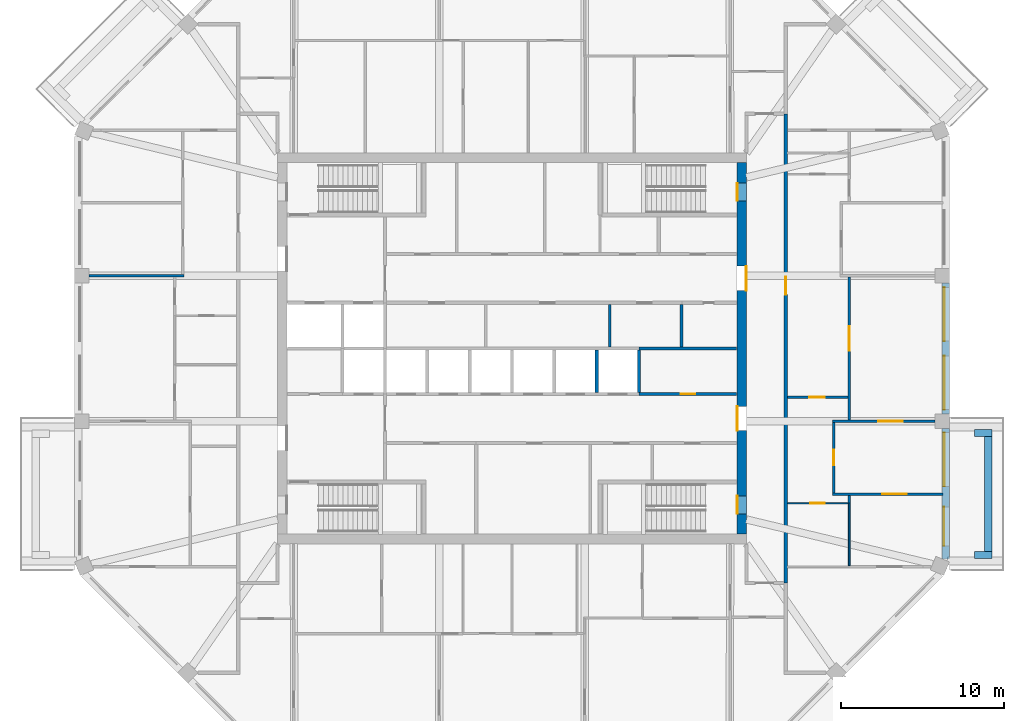
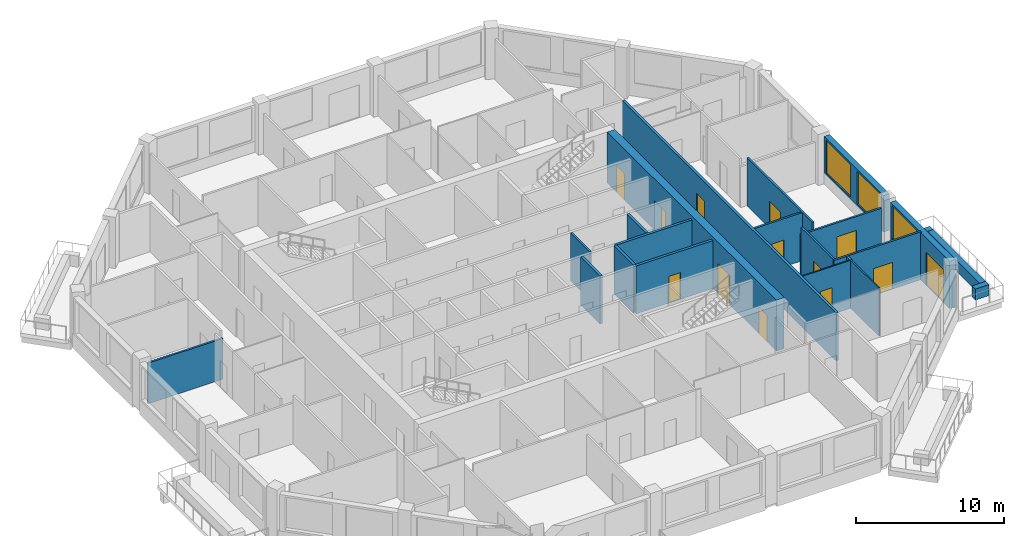
# One storey, part 6 of 11: 22 walls, 13 doors, 3 windows, 16 openings.
"""IFC4 building model written with IfcOpenShell, lengths in metres."""

from ifc_helpers import new_model, si_unit, direction, frame, frame_2d, origin, place, context, subcontext, project, spatial, rectangle, extrude, material, layer, layer_set, type_object, element, fill, save


model = new_model("IFC4")

# Units and contexts
model_context = context("Model", 3, precision=1e-05, world=origin(), true_north=direction((0.0, 1.0)))
body_context = subcontext(model_context, "Body", "Model", "MODEL_VIEW")
ifc_project = project(units=[si_unit("LENGTHUNIT", "METRE"), si_unit("AREAUNIT", "SQUARE_METRE"), si_unit("VOLUMEUNIT", "CUBIC_METRE"), si_unit("PLANEANGLEUNIT", "RADIAN"), si_unit("MASSUNIT", "GRAM", prefix="KILO")], contexts=[model_context])

# Site, building, storey
site_placement = place(None, origin())
site = spatial("IfcSite", under=ifc_project, at=site_placement, CompositionType="ELEMENT")
building_placement = place(site_placement, origin())
building = spatial("IfcBuilding", under=site, at=building_placement, Name="Msitu Wima Residences", CompositionType="ELEMENT")
storey_placement = place(building_placement, frame((0.0, 0.0, 302.10009765625)))
storey = spatial("IfcBuildingStorey", under=building, at=storey_placement, Name="L70", CompositionType="ELEMENT", Elevation=302.10009765625)

# Walls
ifc_material_1 = material(Name="Facing brick")
ifc_layer_1 = layer(ifc_material_1, 0.06494140625, Name="Facing brick")
ifc_material_2 = material(Name="Concrete C40/50", Category="concrete")
ifc_layer_2 = layer(ifc_material_2, 0.156005859375, Name="Concrete C40/50")
ifc_material_3 = material(Name="Waterproofing membrane")
ifc_layer_3 = layer(ifc_material_3, 0.00390625, Name="Waterproofing membrane")
ifc_material_4 = material(Name="Planting soil and planting")
ifc_layer_4 = layer(ifc_material_4, 0.22509765625, Name="Planting soil and planting")
ifc_layer_set_1 = layer_set([ifc_layer_1, ifc_layer_2, ifc_layer_3, ifc_layer_4], Name="Concrete C40/50")
wall_type_1 = type_object("IfcWallType", Name="Balcony planter PLANTER PL450", PredefinedType="USERDEFINED", material=ifc_layer_set_1)
wall_1_placement = place(storey_placement, frame((29.22509765625, -12.455810546875, 0.0), z_axis=(0.0, 0.0, 1.0), x_axis=(0.0, 1.0, 0.0)))
element("IfcWall", 1, at=wall_1_placement, inside=storey, type_object=wall_type_1, Name="Balcony planter E0 L70", ObjectType="PLANTER", PredefinedType="USERDEFINED", context=body_context, shape_type="SweptSolid", body=[
    extrude(rectangle(XDim=7.037109375, YDim=0.449951171875, at=frame_2d((3.5185546875, 0.0))), origin(), (0.0, 0.0, 1.0), 0.89990234375),
])
for number, where, z_axis, x_axis, name in (
    (2, (28.39990234375, -12.680908203125, 0.0), (0.0, 0.0, 1.0), (1.0, 0.0, 0.0), "Balcony planter E0 L70"),
    (3, (28.39990234375, -5.193603515625, 0.0), (0.0, 0.0, 1.0), (1.0, 0.0, 0.0), "Balcony planter E0 L70"),
):
    element("IfcWall", number, at=place(storey_placement, frame(where, z_axis=z_axis, x_axis=x_axis)), inside=storey, type_object=wall_type_1, Name=name, ObjectType="PLANTER", PredefinedType="USERDEFINED", context=body_context, shape_type="SweptSolid", body=[
        extrude(rectangle(XDim=1.050048828125, YDim=0.449951171875, at=frame_2d((0.52490234375, 0.0))), origin(), (0.0, 0.0, 1.0), 0.89990234375),
    ])

# Wall, openings, door, window
ifc_material_5 = material(Name="Brick (red buff mix)", Category="masonry")
ifc_layer_5 = layer(ifc_material_5, 0.449951171875)
ifc_layer_set_2 = layer_set([ifc_layer_5], Name="Brick (red buff mix)")
wall_type_2 = type_object("IfcWallType", Name="Brick infill wall BW450", PredefinedType="SOLIDWALL", material=ifc_layer_set_2)
wall_2_placement = place(storey_placement, frame((26.625, -12.918701171875, 0.0), z_axis=(0.0, 0.0, 1.0), x_axis=(0.0, 1.0, 0.0)))
wall_2 = element("IfcWall", 4, at=wall_2_placement, inside=storey, type_object=wall_type_2, Name="Brick infill wall L70 E0", PredefinedType="SOLIDWALL", context=body_context, shape_type="SweptSolid", body=[
    extrude(rectangle(XDim=8.0, YDim=0.449951171875, at=frame_2d((4.0, 0.0))), origin(), (0.0, 0.0, 1.0), 3.89990234375),
])
opening_1_placement = place(wall_2_placement, frame((0.800048828125, 0.0, 0.0)))
opening_1 = element("IfcOpeningElement", 5, at=opening_1_placement, cuts=wall_2, Name="Opening D68-70.001", PredefinedType="OPENING", context=body_context, shape_type="SweptSolid", body=[
    extrude(rectangle(XDim=2.39990234375, YDim=2.699951171875, at=frame_2d((1.199951171875, 1.35009765625))), frame((0.0, 0.23486328125, 0.0), z_axis=(0.0, -1.0, 0.0), x_axis=(1.0, 0.0, 0.0)), (0.0, 0.0, 1.0), 0.469970703125),
])
opening_2_placement = place(wall_2_placement, frame((4.4501953125, 0.0, 1.050048828125)))
opening_2 = element("IfcOpeningElement", 6, at=opening_2_placement, cuts=wall_2, Name="Opening W68-70.001", PredefinedType="OPENING", context=body_context, shape_type="SweptSolid", body=[
    extrude(rectangle(XDim=3.300048828125, YDim=2.699951171875, at=frame_2d((1.64990234375, 1.35009765625))), frame((0.0, 0.23486328125, 0.0), z_axis=(0.0, -1.0, 0.0), x_axis=(1.0, 0.0, 0.0)), (0.0, 0.0, 1.0), 0.469970703125),
])
ifc_material_6 = material(Name="Anodised aluminium, bronze finish, clear low-emissivity double glazing", Category="aluminium")
door_type_1 = type_object("IfcDoorType", Name="Balcony door D2400x2700", OperationType="SLIDING_TO_LEFT", PredefinedType="DOOR", material=ifc_material_6)
door_1_placement = place(opening_1_placement, origin())
door_1 = element("IfcDoor", 7, at=door_1_placement, inside=storey, type_object=door_type_1, Name="Balcony door L70 E0", OperationType="SINGLE_SWING_LEFT", OverallHeight=2.699951171875, OverallWidth=2.39990234375, PredefinedType="DOOR", context=body_context, shape_type="SweptSolid", body=[
    extrude(rectangle(XDim=2.39990234375, YDim=2.699951171875, at=frame_2d((1.199951171875, 1.35009765625))), frame((0.0, 0.1298828125, 0.0), z_axis=(0.0, -1.0, 0.0), x_axis=(1.0, 0.0, 0.0)), (0.0, 0.0, 1.0), 0.050048828125),
])
fill(opening_1, door_1)
window_type = type_object("IfcWindowType", Name="Window W3300x2700", PartitioningType="DOUBLE_PANEL_VERTICAL", PredefinedType="WINDOW", material=ifc_material_6)
window_1_placement = place(opening_2_placement, origin())
window_1 = element("IfcWindow", 8, at=window_1_placement, inside=storey, type_object=window_type, Name="Window L70 E0.2", OverallHeight=2.699951171875, OverallWidth=3.300048828125, PartitioningType="SINGLE_PANEL", PredefinedType="WINDOW", context=body_context, shape_type="SweptSolid", body=[
    extrude(rectangle(XDim=3.300048828125, YDim=2.699951171875, at=frame_2d((1.64990234375, 1.35009765625))), frame((0.0, 0.135009765625, 0.0), z_axis=(0.0, -1.0, 0.0), x_axis=(1.0, 0.0, 0.0)), (0.0, 0.0, 1.0), 0.06005859375),
])
fill(opening_2, window_1)

# Wall, openings, windows
wall_3_placement = place(storey_placement, frame((26.625, -4.0185546875, 0.89990234375), z_axis=(0.0, 0.0, 1.0), x_axis=(0.0, 1.0, 0.0)))
wall_3 = element("IfcWall", 9, at=wall_3_placement, inside=storey, type_object=wall_type_2, Name="Brick infill wall L70 E1", PredefinedType="SOLIDWALL", context=body_context, shape_type="SweptSolid", body=[
    extrude(rectangle(XDim=8.037109375, YDim=0.449951171875, at=frame_2d((4.0185546875, 0.0))), origin(), (0.0, 0.0, 1.0), 3.0),
])
opening_3_placement = place(wall_3_placement, frame((0.2685546875, 0.0, 0.14990234375)))
opening_3 = element("IfcOpeningElement", 10, at=opening_3_placement, cuts=wall_3, Name="Opening W68-70.002", PredefinedType="OPENING", context=body_context, shape_type="SweptSolid", body=[
    extrude(rectangle(XDim=3.300048828125, YDim=2.699951171875, at=frame_2d((1.64990234375, 1.35009765625))), frame((0.0, 0.23486328125, 0.0), z_axis=(0.0, -1.0, 0.0), x_axis=(1.0, 0.0, 0.0)), (0.0, 0.0, 1.0), 0.469970703125),
])
opening_4_placement = place(wall_3_placement, frame((4.46875, 0.0, 0.14990234375)))
opening_4 = element("IfcOpeningElement", 11, at=opening_4_placement, cuts=wall_3, Name="Opening W68-70.003", PredefinedType="OPENING", context=body_context, shape_type="SweptSolid", body=[
    extrude(rectangle(XDim=3.300048828125, YDim=2.699951171875, at=frame_2d((1.64990234375, 1.35009765625))), frame((0.0, 0.23486328125, 0.0), z_axis=(0.0, -1.0, 0.0), x_axis=(1.0, 0.0, 0.0)), (0.0, 0.0, 1.0), 0.469970703125),
])
window_2_placement = place(opening_3_placement, origin())
window_2 = element("IfcWindow", 12, at=window_2_placement, inside=storey, type_object=window_type, Name="Window L70 E1.1", OverallHeight=2.699951171875, OverallWidth=3.300048828125, PartitioningType="SINGLE_PANEL", PredefinedType="WINDOW", context=body_context, shape_type="SweptSolid", body=[
    extrude(rectangle(XDim=3.300048828125, YDim=2.699951171875, at=frame_2d((1.64990234375, 1.35009765625))), frame((0.0, 0.135009765625, 0.0), z_axis=(0.0, -1.0, 0.0), x_axis=(1.0, 0.0, 0.0)), (0.0, 0.0, 1.0), 0.06005859375),
])
fill(opening_3, window_2)
window_3_placement = place(opening_4_placement, origin())
window_3 = element("IfcWindow", 13, at=window_3_placement, inside=storey, type_object=window_type, Name="Window L70 E1.2", OverallHeight=2.699951171875, OverallWidth=3.300048828125, PartitioningType="SINGLE_PANEL", PredefinedType="WINDOW", context=body_context, shape_type="SweptSolid", body=[
    extrude(rectangle(XDim=3.300048828125, YDim=2.699951171875, at=frame_2d((1.64990234375, 1.35009765625))), frame((0.0, 0.135009765625, 0.0), z_axis=(0.0, -1.0, 0.0), x_axis=(1.0, 0.0, 0.0)), (0.0, 0.0, 1.0), 0.06005859375),
])
fill(opening_4, window_3)

# Wall, openings, doors
ifc_material_7 = material(Name="Concrete C50/60", Category="concrete")
ifc_layer_6 = layer(ifc_material_7, 0.60009765625)
ifc_layer_set_3 = layer_set([ifc_layer_6], Name="Concrete C50/60")
wall_type_3 = type_object("IfcWallType", Name="Core wall CW600 C50/60", PredefinedType="SHEAR", material=ifc_layer_set_3)
wall_4_placement = place(storey_placement, frame((14.10009765625, -11.39990234375, 0.0), z_axis=(0.0, 0.0, 1.0), x_axis=(0.0, 1.0, 0.0)))
wall_4 = element("IfcWall", 14, at=wall_4_placement, inside=storey, type_object=wall_type_3, Name="Core wall", PredefinedType="SHEAR", context=body_context, shape_type="SweptSolid", body=[
    extrude(rectangle(XDim=22.7998046875, YDim=0.60009765625, at=frame_2d((11.39990234375, 0.0))), origin(), (0.0, 0.0, 1.0), 4.199951171875),
])
opening_5_placement = place(wall_4_placement, frame((20.449951171875, 0.0, 0.0)))
opening_5 = element("IfcOpeningElement", 15, at=opening_5_placement, cuts=wall_4, Name="Opening D68-70.082", PredefinedType="OPENING", context=body_context, shape_type="SweptSolid", body=[
    extrude(rectangle(XDim=1.10009765625, YDim=2.199951171875, at=frame_2d((0.550048828125, 1.10009765625))), frame((0.0, 0.31005859375, 0.0), z_axis=(0.0, -1.0, 0.0), x_axis=(1.0, 0.0, 0.0)), (0.0, 0.0, 1.0), 0.6201171875),
])
opening_6_placement = place(wall_4_placement, frame((1.25, 0.0, 0.0)))
opening_6 = element("IfcOpeningElement", 16, at=opening_6_placement, cuts=wall_4, Name="Opening D68-70.083", PredefinedType="OPENING", context=body_context, shape_type="SweptSolid", body=[
    extrude(rectangle(XDim=1.10009765625, YDim=2.199951171875, at=frame_2d((0.550048828125, 1.10009765625))), frame((0.0, 0.31005859375, 0.0), z_axis=(0.0, -1.0, 0.0), x_axis=(1.0, 0.0, 0.0)), (0.0, 0.0, 1.0), 0.6201171875),
])
opening_7_placement = place(wall_4_placement, frame((14.949951171875, 0.0, 0.0)))
opening_7 = element("IfcOpeningElement", 17, at=opening_7_placement, cuts=wall_4, Name="Opening D68-70.071", PredefinedType="OPENING", context=body_context, shape_type="SweptSolid", body=[
    extrude(rectangle(XDim=1.5, YDim=2.39990234375, at=frame_2d((0.75, 1.199951171875))), frame((0.0, 0.31005859375, 0.0), z_axis=(0.0, -1.0, 0.0), x_axis=(1.0, 0.0, 0.0)), (0.0, 0.0, 1.0), 0.6201171875),
])
opening_8_placement = place(wall_4_placement, frame((6.35009765625, 0.0, 0.0)))
opening_8 = element("IfcOpeningElement", 18, at=opening_8_placement, cuts=wall_4, Name="Opening D68-70.072", PredefinedType="OPENING", context=body_context, shape_type="SweptSolid", body=[
    extrude(rectangle(XDim=1.5, YDim=2.39990234375, at=frame_2d((0.75, 1.199951171875))), frame((0.0, 0.31005859375, 0.0), z_axis=(0.0, -1.0, 0.0), x_axis=(1.0, 0.0, 0.0)), (0.0, 0.0, 1.0), 0.6201171875),
])
ifc_material_8 = material(Name="Steel framed glazed door, fire resisting", Category="steel")
door_type_2 = type_object("IfcDoorType", Name="Lobby door D07 1500x2400", OperationType="DOUBLE_DOOR_SINGLE_SWING", PredefinedType="DOOR", material=ifc_material_8)
door_2_placement = place(opening_7_placement, origin())
door_2 = element("IfcDoor", 19, at=door_2_placement, inside=storey, type_object=door_type_2, Name="Lobby door", OperationType="DOUBLE_DOOR_SINGLE_SWING", OverallHeight=2.39990234375, OverallWidth=1.5, PredefinedType="DOOR", context=body_context, shape_type="SweptSolid", body=[
    extrude(rectangle(XDim=1.5, YDim=2.39990234375, at=frame_2d((0.75, 1.199951171875))), frame((0.0, -0.2451171875, 0.0), z_axis=(0.0, -1.0, 0.0), x_axis=(1.0, 0.0, 0.0)), (0.0, 0.0, 1.0), 0.050048828125),
])
fill(opening_7, door_2)
door_3_placement = place(opening_8_placement, origin())
door_3 = element("IfcDoor", 20, at=door_3_placement, inside=storey, type_object=door_type_2, Name="Lobby door", OperationType="DOUBLE_DOOR_SINGLE_SWING", OverallHeight=2.39990234375, OverallWidth=1.5, PredefinedType="DOOR", context=body_context, shape_type="SweptSolid", body=[
    extrude(rectangle(XDim=1.5, YDim=2.39990234375, at=frame_2d((0.75, 1.199951171875))), frame((0.0, 0.294921875, 0.0), z_axis=(0.0, -1.0, 0.0), x_axis=(1.0, 0.0, 0.0)), (0.0, 0.0, 1.0), 0.050048828125),
])
fill(opening_8, door_3)
ifc_material_9 = material(Name="Steel door, fire resisting, panic bar", Category="steel")
door_type_3 = type_object("IfcDoorType", Name="Stair door D06 1100x2200", OperationType="SINGLE_SWING_LEFT", PredefinedType="DOOR", material=ifc_material_9)
door_4_placement = place(opening_5_placement, origin())
door_4 = element("IfcDoor", 21, at=door_4_placement, inside=storey, type_object=door_type_3, Name="Stair door", OperationType="SINGLE_SWING_LEFT", OverallHeight=2.199951171875, OverallWidth=1.10009765625, PredefinedType="DOOR", context=body_context, shape_type="SweptSolid", body=[
    extrude(rectangle(XDim=1.10009765625, YDim=2.199951171875, at=frame_2d((0.550048828125, 1.10009765625))), frame((0.0, 0.294921875, 0.0), z_axis=(0.0, -1.0, 0.0), x_axis=(1.0, 0.0, 0.0)), (0.0, 0.0, 1.0), 0.050048828125),
])
fill(opening_5, door_4)
door_5_placement = place(opening_6_placement, origin())
door_5 = element("IfcDoor", 22, at=door_5_placement, inside=storey, type_object=door_type_3, Name="Stair door", OperationType="SINGLE_SWING_RIGHT", OverallHeight=2.199951171875, OverallWidth=1.10009765625, PredefinedType="DOOR", context=body_context, shape_type="SweptSolid", body=[
    extrude(rectangle(XDim=1.10009765625, YDim=2.199951171875, at=frame_2d((0.550048828125, 1.10009765625))), frame((0.0, 0.294921875, 0.0), z_axis=(0.0, -1.0, 0.0), x_axis=(1.0, 0.0, 0.0)), (0.0, 0.0, 1.0), 0.050048828125),
])
fill(opening_6, door_5)

# Wall, opening, door
ifc_material_10 = material(Name="Plaster")
ifc_layer_7 = layer(ifc_material_10, 0.011962890625, Name="Plaster")
ifc_material_11 = material(Name="Concrete blockwork", Category="masonry")
ifc_layer_8 = layer(ifc_material_11, 0.176025390625, Name="Concrete blockwork")
ifc_layer_9 = layer(ifc_material_10, 0.011962890625, Name="Plaster")
ifc_layer_set_4 = layer_set([ifc_layer_7, ifc_layer_8, ifc_layer_9], Name="Concrete blockwork")
wall_type_4 = type_object("IfcWallType", Name="Corridor wall FW200", PredefinedType="PARTITIONING", material=ifc_layer_set_4)
wall_5_placement = place(storey_placement, frame((16.800048828125, -14.39990234375, 0.0), z_axis=(0.0, 0.0, 1.0), x_axis=(0.0, 1.0, 0.0)))
wall_5 = element("IfcWall", 23, at=wall_5_placement, inside=storey, type_object=wall_type_4, Name="Corridor wall", PredefinedType="PARTITIONING", context=body_context, shape_type="SweptSolid", body=[
    extrude(rectangle(XDim=28.7998046875, YDim=0.199951171875, at=frame_2d((14.39990234375, 0.0))), origin(), (0.0, 0.0, 1.0), 3.949951171875),
])
opening_9_placement = place(wall_5_placement, frame((17.699951171875, 0.0, 0.0)))
opening_9 = element("IfcOpeningElement", 24, at=opening_9_placement, cuts=wall_5, Name="Opening D68-70.008", PredefinedType="OPENING", context=body_context, shape_type="SweptSolid", body=[
    extrude(rectangle(XDim=1.10009765625, YDim=2.39990234375, at=frame_2d((0.550048828125, 1.199951171875))), frame((0.0, 0.10986328125, 0.0), z_axis=(0.0, -1.0, 0.0), x_axis=(1.0, 0.0, 0.0)), (0.0, 0.0, 1.0), 0.219970703125),
])
ifc_material_12 = material(Name="Timber flush door, fire resisting, self-closing", Category="wood")
door_type_4 = type_object("IfcDoorType", Name="Flat entrance door D01 1100x2400", OperationType="SINGLE_SWING_LEFT", PredefinedType="DOOR", material=ifc_material_12)
door_6_placement = place(opening_9_placement, origin())
door_6 = element("IfcDoor", 25, at=door_6_placement, inside=storey, type_object=door_type_4, Name="Flat entrance door", OperationType="SINGLE_SWING_LEFT", OverallHeight=2.39990234375, OverallWidth=1.10009765625, PredefinedType="DOOR", context=body_context, shape_type="SweptSolid", body=[
    extrude(rectangle(XDim=1.10009765625, YDim=2.39990234375, at=frame_2d((0.550048828125, 1.199951171875))), frame((0.0, 0.02490234375, 0.0), z_axis=(0.0, -1.0, 0.0), x_axis=(1.0, 0.0, 0.0)), (0.0, 0.0, 1.0), 0.050048828125),
])
fill(opening_9, door_6)

# Walls
ifc_layer_10 = layer(ifc_material_10, 0.011962890625, Name="Plaster")
ifc_layer_11 = layer(ifc_material_11, 0.1259765625, Name="Concrete blockwork")
ifc_layer_12 = layer(ifc_material_10, 0.011962890625, Name="Plaster")
ifc_layer_set_5 = layer_set([ifc_layer_10, ifc_layer_11, ifc_layer_12], Name="Concrete blockwork")
wall_type_5 = type_object("IfcWallType", Name="Partition PW150", PredefinedType="PARTITIONING", material=ifc_layer_set_5)
wall_6_placement = place(storey_placement, frame((-25.949951171875, 4.46875, 0.0), z_axis=(0.0, 0.0, 1.0), x_axis=(1.0, 0.0, 0.0)))
element("IfcWall", 26, at=wall_6_placement, inside=storey, type_object=wall_type_5, Name="Partition", PredefinedType="PARTITIONING", context=body_context, shape_type="SweptSolid", body=[
    extrude(rectangle(XDim=5.824951171875, YDim=0.14990234375, at=frame_2d((2.91259765625, 0.0))), origin(), (0.0, 0.0, 1.0), 3.349853515625),
])
wall_7_placement = place(storey_placement, frame((6.0, 0.10009765625, 0.0), z_axis=(0.0, 0.0, 1.0), x_axis=(0.0, 1.0, 0.0)))
element("IfcWall", 27, at=wall_7_placement, inside=storey, type_object=wall_type_5, Name="Partition", PredefinedType="PARTITIONING", context=body_context, shape_type="SweptSolid", body=[
    extrude(rectangle(XDim=2.599853515625, YDim=0.14990234375, at=frame_2d((1.2998046875, 0.0))), origin(), (0.0, 0.0, 1.0), 3.949951171875),
])

# Wall, opening, door
wall_8_placement = place(storey_placement, frame((16.89990234375, -3.0, 0.0), z_axis=(0.0, 0.0, 1.0), x_axis=(1.0, 0.0, 0.0)))
wall_8 = element("IfcWall", 28, at=wall_8_placement, inside=storey, type_object=wall_type_5, Name="Partition", PredefinedType="PARTITIONING", context=body_context, shape_type="SweptSolid", body=[
    extrude(rectangle(XDim=3.72509765625, YDim=0.14990234375, at=frame_2d((1.862548828125, 0.0))), origin(), (0.0, 0.0, 1.0), 3.949951171875),
])
opening_10_placement = place(wall_8_placement, frame((1.35009765625, 0.0, 0.0)))
opening_10 = element("IfcOpeningElement", 29, at=opening_10_placement, cuts=wall_8, Name="Opening D68-70.009", PredefinedType="OPENING", context=body_context, shape_type="SweptSolid", body=[
    extrude(rectangle(XDim=0.949951171875, YDim=2.199951171875, at=frame_2d((0.47509765625, 1.10009765625))), frame((0.0, 0.0849609375, 0.0), z_axis=(0.0, -1.0, 0.0), x_axis=(1.0, 0.0, 0.0)), (0.0, 0.0, 1.0), 0.169921875),
])
ifc_material_13 = material(Name="Timber flush door", Category="wood")
door_type_5 = type_object("IfcDoorType", Name="Room door D12 950x2200", OperationType="SINGLE_SWING_LEFT", PredefinedType="DOOR", material=ifc_material_13)
door_7_placement = place(opening_10_placement, origin())
door_7 = element("IfcDoor", 30, at=door_7_placement, inside=storey, type_object=door_type_5, Name="Room door", OperationType="SINGLE_SWING_RIGHT", OverallHeight=2.199951171875, OverallWidth=0.949951171875, PredefinedType="DOOR", context=body_context, shape_type="SweptSolid", body=[
    extrude(rectangle(XDim=0.949951171875, YDim=2.199951171875, at=frame_2d((0.47509765625, 1.10009765625))), frame((0.0, 0.02490234375, 0.0), z_axis=(0.0, -1.0, 0.0), x_axis=(1.0, 0.0, 0.0)), (0.0, 0.0, 1.0), 0.050048828125),
])
fill(opening_10, door_7)

wall_9_placement = place(storey_placement, frame((19.75, -8.8623046875, 0.0), z_axis=(0.0, 0.0, 1.0), x_axis=(0.0, 1.0, 0.0)))
wall_9 = element("IfcWall", 31, at=wall_9_placement, inside=storey, type_object=wall_type_5, Name="Partition", PredefinedType="PARTITIONING", context=body_context, shape_type="SweptSolid", body=[
    extrude(rectangle(XDim=4.318603515625, YDim=0.14990234375, at=frame_2d((2.1591796875, 0.0))), origin(), (0.0, 0.0, 1.0), 3.949951171875),
])
opening_11_placement = place(wall_9_placement, frame((1.699951171875, 0.0, 0.0)))
opening_11 = element("IfcOpeningElement", 32, at=opening_11_placement, cuts=wall_9, Name="Opening D68-70.012", PredefinedType="OPENING", context=body_context, shape_type="SweptSolid", body=[
    extrude(rectangle(XDim=0.949951171875, YDim=2.199951171875, at=frame_2d((0.47509765625, 1.10009765625))), frame((0.0, 0.0849609375, 0.0), z_axis=(0.0, -1.0, 0.0), x_axis=(1.0, 0.0, 0.0)), (0.0, 0.0, 1.0), 0.169921875),
])
door_8_placement = place(opening_11_placement, origin())
door_8 = element("IfcDoor", 33, at=door_8_placement, inside=storey, type_object=door_type_5, Name="Room door", OperationType="SINGLE_SWING_LEFT", OverallHeight=2.199951171875, OverallWidth=0.949951171875, PredefinedType="DOOR", context=body_context, shape_type="SweptSolid", body=[
    extrude(rectangle(XDim=0.949951171875, YDim=2.199951171875, at=frame_2d((0.47509765625, 1.10009765625))), frame((0.0, 0.02490234375, 0.0), z_axis=(0.0, -1.0, 0.0), x_axis=(1.0, 0.0, 0.0)), (0.0, 0.0, 1.0), 0.050048828125),
])
fill(opening_11, door_8)

wall_10_placement = place(storey_placement, frame((19.675048828125, -8.937255859375, 0.0), z_axis=(0.0, 0.0, 1.0), x_axis=(1.0, 0.0, 0.0)))
wall_10 = element("IfcWall", 34, at=wall_10_placement, inside=storey, type_object=wall_type_5, Name="Partition", PredefinedType="PARTITIONING", context=body_context, shape_type="SweptSolid", body=[
    extrude(rectangle(XDim=6.780029296875, YDim=0.14990234375, at=frame_2d((3.39013671875, 0.0))), origin(), (0.0, 0.0, 1.0), 3.949951171875),
])
opening_12_placement = place(wall_10_placement, frame((3.050048828125, 0.0, 0.0)))
opening_12 = element("IfcOpeningElement", 35, at=opening_12_placement, cuts=wall_10, Name="Opening D68-70.010", PredefinedType="OPENING", context=body_context, shape_type="SweptSolid", body=[
    extrude(rectangle(XDim=1.5, YDim=2.199951171875, at=frame_2d((0.75, 1.10009765625))), frame((0.0, 0.0849609375, 0.0), z_axis=(0.0, -1.0, 0.0), x_axis=(1.0, 0.0, 0.0)), (0.0, 0.0, 1.0), 0.169921875),
])
ifc_material_14 = material(Name="Timber double door", Category="wood")
door_type_6 = type_object("IfcDoorType", Name="Double door D04 1500x2200", OperationType="DOUBLE_DOOR_SINGLE_SWING", PredefinedType="DOOR", material=ifc_material_14)
door_9_placement = place(opening_12_placement, origin())
door_9 = element("IfcDoor", 36, at=door_9_placement, inside=storey, type_object=door_type_6, Name="Double door", OperationType="DOUBLE_DOOR_SINGLE_SWING", OverallHeight=2.199951171875, OverallWidth=1.5, PredefinedType="DOOR", context=body_context, shape_type="SweptSolid", body=[
    extrude(rectangle(XDim=1.5, YDim=2.199951171875, at=frame_2d((0.75, 1.10009765625))), frame((0.0, 0.02490234375, 0.0), z_axis=(0.0, -1.0, 0.0), x_axis=(1.0, 0.0, 0.0)), (0.0, 0.0, 1.0), 0.050048828125),
])
fill(opening_12, door_9)

wall_11_placement = place(storey_placement, frame((19.675048828125, -4.46875, 0.0), z_axis=(0.0, 0.0, 1.0), x_axis=(1.0, 0.0, 0.0)))
wall_11 = element("IfcWall", 37, at=wall_11_placement, inside=storey, type_object=wall_type_5, Name="Partition", PredefinedType="PARTITIONING", context=body_context, shape_type="SweptSolid", body=[
    extrude(rectangle(XDim=6.27490234375, YDim=0.14990234375, at=frame_2d((3.137451171875, 0.0))), origin(), (0.0, 0.0, 1.0), 3.349853515625),
])
opening_13_placement = place(wall_11_placement, frame((2.800048828125, 0.0, 0.0)))
opening_13 = element("IfcOpeningElement", 38, at=opening_13_placement, cuts=wall_11, Name="Opening D68-70.020", PredefinedType="OPENING", context=body_context, shape_type="SweptSolid", body=[
    extrude(rectangle(XDim=1.5, YDim=2.199951171875, at=frame_2d((0.75, 1.10009765625))), frame((0.0, 0.0849609375, 0.0), z_axis=(0.0, -1.0, 0.0), x_axis=(1.0, 0.0, 0.0)), (0.0, 0.0, 1.0), 0.169921875),
])
door_10_placement = place(opening_13_placement, origin())
door_10 = element("IfcDoor", 39, at=door_10_placement, inside=storey, type_object=door_type_6, Name="Double door", OperationType="DOUBLE_DOOR_SINGLE_SWING", OverallHeight=2.199951171875, OverallWidth=1.5, PredefinedType="DOOR", context=body_context, shape_type="SweptSolid", body=[
    extrude(rectangle(XDim=1.5, YDim=2.199951171875, at=frame_2d((0.75, 1.10009765625))), frame((0.0, 0.02490234375, 0.0), z_axis=(0.0, -1.0, 0.0), x_axis=(1.0, 0.0, 0.0)), (0.0, 0.0, 1.0), 0.050048828125),
])
fill(opening_13, door_10)

# Wall
wall_12_placement = place(storey_placement, frame((20.699951171875, -9.5, 0.0), z_axis=(0.0, 0.0, 1.0), x_axis=(0.0, 1.0, 0.0)))
element("IfcWall", 40, at=wall_12_placement, inside=storey, type_object=wall_type_5, Name="Partition", PredefinedType="PARTITIONING", context=body_context, shape_type="SweptSolid", body=[
    extrude(rectangle(XDim=0.48779296875, YDim=0.14990234375, at=frame_2d((0.243896484375, 0.0))), origin(), (0.0, 0.0, 1.0), 3.949951171875),
])

# Wall, opening, door
wall_13_placement = place(storey_placement, frame((20.699951171875, -4.3935546875, 0.0), z_axis=(0.0, 0.0, 1.0), x_axis=(0.0, 1.0, 0.0)))
wall_13 = element("IfcWall", 41, at=wall_13_placement, inside=storey, type_object=wall_type_5, Name="Partition", PredefinedType="PARTITIONING", context=body_context, shape_type="SweptSolid", body=[
    extrude(rectangle(XDim=8.787109375, YDim=0.14990234375, at=frame_2d((4.3935546875, 0.0))), origin(), (0.0, 0.0, 1.0), 3.949951171875),
])
opening_14_placement = place(wall_13_placement, frame((4.25, 0.0, 0.0)))
opening_14 = element("IfcOpeningElement", 42, at=opening_14_placement, cuts=wall_13, Name="Opening D68-70.014", PredefinedType="OPENING", context=body_context, shape_type="SweptSolid", body=[
    extrude(rectangle(XDim=1.5, YDim=2.199951171875, at=frame_2d((0.75, 1.10009765625))), frame((0.0, 0.0849609375, 0.0), z_axis=(0.0, -1.0, 0.0), x_axis=(1.0, 0.0, 0.0)), (0.0, 0.0, 1.0), 0.169921875),
])
door_11_placement = place(opening_14_placement, origin())
door_11 = element("IfcDoor", 43, at=door_11_placement, inside=storey, type_object=door_type_6, Name="Double door", OperationType="DOUBLE_DOOR_SINGLE_SWING", OverallHeight=2.199951171875, OverallWidth=1.5, PredefinedType="DOOR", context=body_context, shape_type="SweptSolid", body=[
    extrude(rectangle(XDim=1.5, YDim=2.199951171875, at=frame_2d((0.75, 1.10009765625))), frame((0.0, 0.02490234375, 0.0), z_axis=(0.0, -1.0, 0.0), x_axis=(1.0, 0.0, 0.0)), (0.0, 0.0, 1.0), 0.050048828125),
])
fill(opening_14, door_11)

ifc_layer_13 = layer(ifc_material_10, 0.011962890625, Name="Plaster")
ifc_material_15 = material(Name="Reinforced concrete blockwork", Category="masonry")
ifc_layer_14 = layer(ifc_material_15, 0.176025390625, Name="Reinforced concrete blockwork")
ifc_layer_15 = layer(ifc_material_10, 0.011962890625, Name="Plaster")
ifc_layer_set_6 = layer_set([ifc_layer_13, ifc_layer_14, ifc_layer_15], Name="Reinforced concrete blockwork")
wall_type_6 = type_object("IfcWallType", Name="Plant and riser wall PL200", PredefinedType="PARTITIONING", material=ifc_layer_set_6)
wall_14_placement = place(storey_placement, frame((7.800048828125, -2.800048828125, 0.0), z_axis=(0.0, 0.0, 1.0), x_axis=(1.0, 0.0, 0.0)))
wall_14 = element("IfcWall", 44, at=wall_14_placement, inside=storey, type_object=wall_type_6, Name="Plant and riser wall", PredefinedType="PARTITIONING", context=body_context, shape_type="SweptSolid", body=[
    extrude(rectangle(XDim=5.969970703125, YDim=0.199951171875, at=frame_2d((2.98486328125, 0.0))), origin(), (0.0, 0.0, 1.0), 3.949951171875),
])
opening_15_placement = place(wall_14_placement, frame((2.550048828125, 0.0, 0.0)))
opening_15 = element("IfcOpeningElement", 45, at=opening_15_placement, cuts=wall_14, Name="Opening D68-70.057", PredefinedType="OPENING", context=body_context, shape_type="SweptSolid", body=[
    extrude(rectangle(XDim=0.89990234375, YDim=2.199951171875, at=frame_2d((0.449951171875, 1.10009765625))), frame((0.0, 0.10986328125, 0.0), z_axis=(0.0, -1.0, 0.0), x_axis=(1.0, 0.0, 0.0)), (0.0, 0.0, 1.0), 0.219970703125),
])
door_type_7 = type_object("IfcDoorType", Name="Service door D05 900x2200", OperationType="SINGLE_SWING_LEFT", PredefinedType="DOOR", material=ifc_material_13)
door_12_placement = place(opening_15_placement, origin())
door_12 = element("IfcDoor", 46, at=door_12_placement, inside=storey, type_object=door_type_7, Name="Service door", OperationType="SINGLE_SWING_LEFT", OverallHeight=2.199951171875, OverallWidth=0.89990234375, PredefinedType="DOOR", context=body_context, shape_type="SweptSolid", body=[
    extrude(rectangle(XDim=0.89990234375, YDim=2.199951171875, at=frame_2d((0.449951171875, 1.10009765625))), frame((0.0, 0.02490234375, 0.0), z_axis=(0.0, -1.0, 0.0), x_axis=(1.0, 0.0, 0.0)), (0.0, 0.0, 1.0), 0.050048828125),
])
fill(opening_15, door_12)

# Walls
wall_15_placement = place(storey_placement, frame((7.800048828125, 0.0, 0.0), z_axis=(0.0, 0.0, 1.0), x_axis=(1.0, 0.0, 0.0)))
element("IfcWall", 47, at=wall_15_placement, inside=storey, type_object=wall_type_6, Name="Plant and riser wall", PredefinedType="PARTITIONING", context=body_context, shape_type="SweptSolid", body=[
    extrude(rectangle(XDim=5.969970703125, YDim=0.199951171875, at=frame_2d((2.98486328125, 0.0))), origin(), (0.0, 0.0, 1.0), 3.949951171875),
])
wall_16_placement = place(storey_placement, frame((10.39990234375, 0.10009765625, 0.0), z_axis=(0.0, 0.0, 1.0), x_axis=(0.0, 1.0, 0.0)))
element("IfcWall", 48, at=wall_16_placement, inside=storey, type_object=wall_type_6, Name="Plant and riser wall", PredefinedType="PARTITIONING", context=body_context, shape_type="SweptSolid", body=[
    extrude(rectangle(XDim=2.599853515625, YDim=0.199951171875, at=frame_2d((1.2998046875, 0.0))), origin(), (0.0, 0.0, 1.0), 3.949951171875),
])
ifc_material_16 = material(Name="Fire-rated board")
ifc_layer_16 = layer(ifc_material_16, 0.02490234375, Name="Fire-rated board")
ifc_material_17 = material(Name="Light-gauge stud framing with mineral wool")
ifc_layer_17 = layer(ifc_material_17, 0.14990234375, Name="Light-gauge stud framing with mineral wool")
ifc_layer_18 = layer(ifc_material_16, 0.02490234375, Name="Fire-rated board")
ifc_layer_set_7 = layer_set([ifc_layer_16, ifc_layer_17, ifc_layer_18], Name="Light-gauge stud framing with mineral wool")
wall_type_7 = type_object("IfcWallType", Name="Shaft wall SH200", PredefinedType="PARTITIONING", material=ifc_layer_set_7)
for number, where, z_axis, x_axis, name in (
    (49, (5.199951171875, -2.699951171875, 0.0), (0.0, 0.0, 1.0), (0.0, 1.0, 0.0), "Shaft wall"),
    (50, (7.800048828125, -2.699951171875, 0.0), (0.0, 0.0, 1.0), (0.0, 1.0, 0.0), "Shaft wall"),
):
    element("IfcWall", number, at=place(storey_placement, frame(where, z_axis=z_axis, x_axis=x_axis)), inside=storey, type_object=wall_type_7, Name=name, PredefinedType="PARTITIONING", context=body_context, shape_type="SweptSolid", body=[
        extrude(rectangle(XDim=2.599853515625, YDim=0.199951171875, at=frame_2d((1.2998046875, 0.0))), origin(), (0.0, 0.0, 1.0), 3.949951171875),
    ])

# Wall, opening, door
ifc_material_18 = material(Name="Ceramic tiles")
ifc_layer_19 = layer(ifc_material_18, 0.008056640625, Name="Ceramic tiles")
ifc_material_19 = material(Name="Moisture-resistant board")
ifc_layer_20 = layer(ifc_material_19, 0.012451171875, Name="Moisture-resistant board")
ifc_layer_21 = layer(ifc_material_17, 0.06689453125, Name="Light-gauge stud framing with mineral wool")
ifc_layer_22 = layer(ifc_material_19, 0.012451171875, Name="Moisture-resistant board")
ifc_layer_set_8 = layer_set([ifc_layer_19, ifc_layer_20, ifc_layer_21, ifc_layer_22], Name="Light-gauge stud framing with mineral wool")
wall_type_8 = type_object("IfcWallType", Name="Wet wall PW100", PredefinedType="PARTITIONING", material=ifc_layer_set_8)
wall_17_placement = place(storey_placement, frame((16.89990234375, -9.5, 0.0), z_axis=(0.0, 0.0, 1.0), x_axis=(1.0, 0.0, 0.0)))
wall_17 = element("IfcWall", 51, at=wall_17_placement, inside=storey, type_object=wall_type_8, Name="Wet wall", PredefinedType="PARTITIONING", context=body_context, shape_type="SweptSolid", body=[
    extrude(rectangle(XDim=3.72509765625, YDim=0.10009765625, at=frame_2d((1.862548828125, 0.0))), origin(), (0.0, 0.0, 1.0), 3.949951171875),
])
opening_16_placement = place(wall_17_placement, frame((1.39990234375, 0.0, 0.0)))
opening_16 = element("IfcOpeningElement", 52, at=opening_16_placement, cuts=wall_17, Name="Opening D68-70.018", PredefinedType="OPENING", context=body_context, shape_type="SweptSolid", body=[
    extrude(rectangle(XDim=0.89990234375, YDim=2.199951171875, at=frame_2d((0.449951171875, 1.10009765625))), frame((0.0, 0.06005859375, 0.0), z_axis=(0.0, -1.0, 0.0), x_axis=(1.0, 0.0, 0.0)), (0.0, 0.0, 1.0), 0.1201171875),
])
door_13_placement = place(opening_16_placement, origin())
door_13 = element("IfcDoor", 53, at=door_13_placement, inside=storey, type_object=door_type_7, Name="Service door", OperationType="SINGLE_SWING_LEFT", OverallHeight=2.199951171875, OverallWidth=0.89990234375, PredefinedType="DOOR", context=body_context, shape_type="SweptSolid", body=[
    extrude(rectangle(XDim=0.89990234375, YDim=2.199951171875, at=frame_2d((0.449951171875, 1.10009765625))), frame((0.0, 0.02490234375, 0.0), z_axis=(0.0, -1.0, 0.0), x_axis=(1.0, 0.0, 0.0)), (0.0, 0.0, 1.0), 0.050048828125),
])
fill(opening_16, door_13)

# Wall
wall_18_placement = place(storey_placement, frame((20.699951171875, -13.330810546875, 0.0), z_axis=(0.0, 0.0, 1.0), x_axis=(0.0, 1.0, 0.0)))
element("IfcWall", 54, at=wall_18_placement, inside=storey, type_object=wall_type_8, Name="Wet wall", PredefinedType="PARTITIONING", context=body_context, shape_type="SweptSolid", body=[
    extrude(rectangle(XDim=3.830810546875, YDim=0.10009765625, at=frame_2d((1.91552734375, 0.0))), origin(), (0.0, 0.0, 1.0), 3.949951171875),
])

save(model, "model.ifc")
